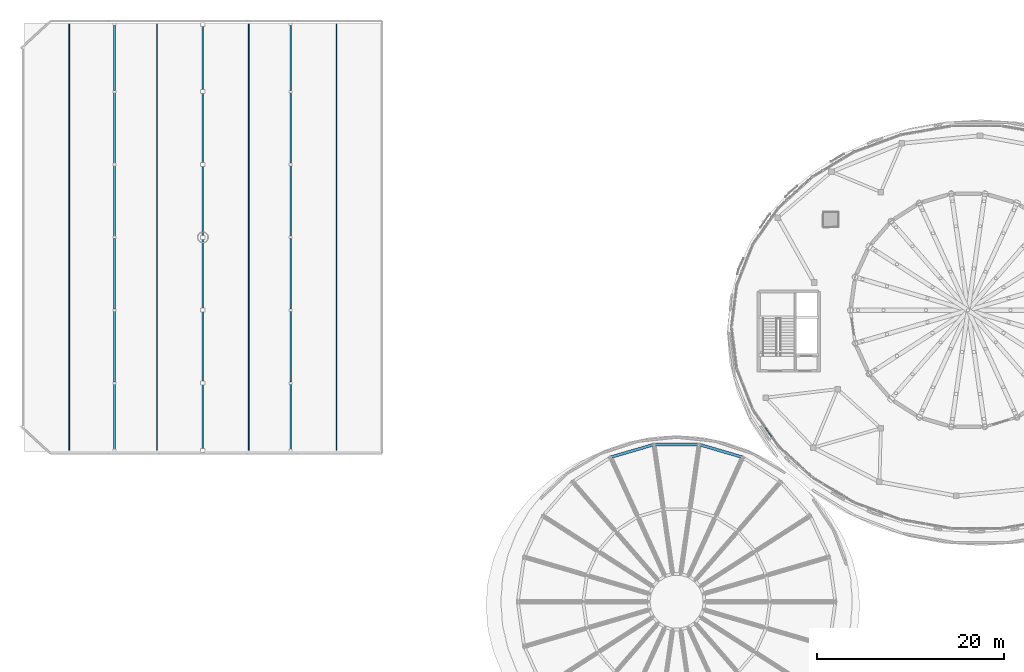
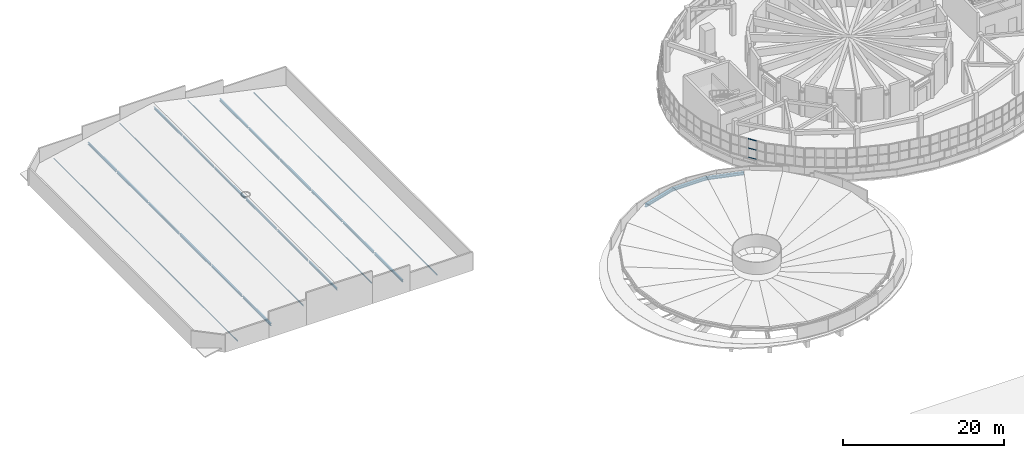
# One storey, part 16 of 69: 27 members, 21 beams, 1 element without a shape of its own.
"""IFC4 building model written with IfcOpenShell, lengths in metres."""

from ifc_helpers import new_model, si_unit, direction, frame, origin, origin_2d, place, context, subcontext, project, spatial, hollow_rectangle, i_section, extrude, material, layer, layer_set, material_profile, profile_set, type_object, element, aggregate, save


model = new_model("IFC4")

# Units and contexts
model_context = context("Model", 3, precision=1e-05, world=origin(), true_north=direction((0.0, 1.0)))
body_context = subcontext(model_context, "Body", "Model", "MODEL_VIEW")
ifc_project = project(units=[si_unit("LENGTHUNIT", "METRE"), si_unit("AREAUNIT", "SQUARE_METRE"), si_unit("VOLUMEUNIT", "CUBIC_METRE"), si_unit("PLANEANGLEUNIT", "RADIAN"), si_unit("MASSUNIT", "GRAM", prefix="KILO")], contexts=[model_context])

# Site, building, storey
site_placement = place(None, origin())
site = spatial("IfcSite", under=ifc_project, at=site_placement, CompositionType="ELEMENT")
building_placement = place(site_placement, origin())
building = spatial("IfcBuilding", under=site, at=building_placement, Name="Pelvatis Terrace Science Centre", CompositionType="ELEMENT")
storey_placement = place(building_placement, frame((0.0, 0.0, 15.0)))
storey = spatial("IfcBuildingStorey", under=building, at=storey_placement, Name="L03", CompositionType="ELEMENT", Elevation=15.0)

# Beams
ifc_material_1 = material(Name="Structural steel S355", Category="steel")
ifc_material_profile_1 = material_profile(ifc_material_1, i_section(OverallWidth=0.300048828125, OverallDepth=0.43994140625, WebThickness=0.011474609375, FlangeThickness=0.02099609375, FilletRadius=0.027099609375, at=origin_2d()), Name="HEA 450")
ifc_profile_set_1 = profile_set([ifc_material_profile_1], Name="Structural steel S355")
beam_type_1 = type_object("IfcBeamType", Name="BM-STL-HEA450", PredefinedType="BEAM", material=ifc_profile_set_1)
beam_1_placement = place(storey_placement, frame((85.06201171875, 70.063720703125, 1.39990234375), z_axis=(-0.959487536584, 0.281751073006, 0.0), x_axis=(-0.281751073006, -0.959487536584, 0.0)))
element("IfcBeam", 1, at=beam_1_placement, inside=storey, type_object=beam_type_1, Name="Bowl roof circumferential out member 05", PredefinedType="BEAM", context=body_context, shape_type="SweptSolid", body=[
    extrude(i_section(OverallWidth=0.300048828125, OverallDepth=0.43994140625, WebThickness=0.011474609375, FlangeThickness=0.02099609375, FilletRadius=0.027099609375, at=origin_2d()), origin(), (0.0, 0.0, 1.0), 4.838623046875),
])
beam_2_placement = place(storey_placement, frame((80.41943359375, 71.427001953125, 1.39990234375), z_axis=(-1.0, 0.0, 0.0), x_axis=(0.0, -1.0, 0.0)))
element("IfcBeam", 2, at=beam_2_placement, inside=storey, type_object=beam_type_1, Name="Bowl roof circumferential out member 06", PredefinedType="BEAM", context=body_context, shape_type="SweptSolid", body=[
    extrude(i_section(OverallWidth=0.300048828125, OverallDepth=0.43994140625, WebThickness=0.011474609375, FlangeThickness=0.02099609375, FilletRadius=0.027099609375, at=origin_2d()), origin(), (0.0, 0.0, 1.0), 4.8388671875),
])
beam_3_placement = place(storey_placement, frame((75.58056640625, 71.427001953125, 1.39990234375), z_axis=(-0.959487536584, -0.281751073006, 0.0), x_axis=(0.281751073006, -0.959487536584, 0.0)))
element("IfcBeam", 3, at=beam_3_placement, inside=storey, type_object=beam_type_1, Name="Bowl roof circumferential out member 07", PredefinedType="BEAM", context=body_context, shape_type="SweptSolid", body=[
    extrude(i_section(OverallWidth=0.300048828125, OverallDepth=0.43994140625, WebThickness=0.011474609375, FlangeThickness=0.02099609375, FilletRadius=0.027099609375, at=origin_2d()), origin(), (0.0, 0.0, 1.0), 4.838623046875),
])

# Curtain wall, members
ifc_material_2 = material(Name="Bronze-anodised aluminium and laminated glass", Category="aluminium")
ifc_layer = layer(ifc_material_2, 0.179931640625)
ifc_layer_set = layer_set([ifc_layer], Name="Bronze-anodised aluminium and laminated glass")
curtain_wall_type = type_object("IfcCurtainWallType", Name="CW-RIBBON-A", PredefinedType="NOTDEFINED", material=ifc_layer_set)
curtain_wall_placement = place(storey_placement, origin())
curtain_wall = element("IfcCurtainWall", 4, at=curtain_wall_placement, inside=storey, type_object=curtain_wall_type, Name="Ribbon curtain wall CW-200 (L03)", PredefinedType="NOTDEFINED")
ifc_material_3 = material(Name="Bronze-anodised aluminium 6063-T6", Category="aluminium")
ifc_material_profile_2 = material_profile(ifc_material_3, hollow_rectangle(XDim=0.06005859375, YDim=0.139892578125, WallThickness=0.00390625, at=origin_2d()), Name="ALU-TRN 60x140")
ifc_profile_set_2 = profile_set([ifc_material_profile_2], Name="Bronze-anodised aluminium 6063-T6")
member_type_1 = type_object("IfcMemberType", Name="CWT-60x140", PredefinedType="USERDEFINED", material=ifc_profile_set_2)
member_1_placement = place(storey_placement, frame((87.508544921875, 73.209716796875, 1.050048828125), z_axis=(0.573447924478, -0.81924201425, 0.0), x_axis=(0.81924201425, 0.573447924478, 0.0)))
member_1 = element("IfcMember", 5, at=member_1_placement, type_object=member_type_1, Name="CW-200 transom 3.1", ObjectType="TRANSOM", PredefinedType="USERDEFINED", context=body_context, shape_type="SweptSolid", body=[
    extrude(hollow_rectangle(XDim=0.06005859375, YDim=0.139892578125, WallThickness=0.00390625, at=origin_2d()), origin(), (0.0, 0.0, 1.0), 1.13623046875),
])
member_2_placement = place(storey_placement, frame((87.508544921875, 73.209716796875, 2.445068359375), z_axis=(0.573447924478, -0.81924201425, 0.0), x_axis=(0.81924201425, 0.573447924478, 0.0)))
member_2 = element("IfcMember", 6, at=member_2_placement, type_object=member_type_1, Name="CW-200 transom 3.2", ObjectType="TRANSOM", PredefinedType="USERDEFINED", context=body_context, shape_type="SweptSolid", body=[
    extrude(hollow_rectangle(XDim=0.06005859375, YDim=0.139892578125, WallThickness=0.00390625, at=origin_2d()), origin(), (0.0, 0.0, 1.0), 1.13623046875),
])
member_3_placement = place(storey_placement, frame((87.508544921875, 73.209716796875, 3.840087890625), z_axis=(0.573447924478, -0.81924201425, 0.0), x_axis=(0.81924201425, 0.573447924478, 0.0)))
member_3 = element("IfcMember", 7, at=member_3_placement, type_object=member_type_1, Name="CW-200 transom 3.3", ObjectType="TRANSOM", PredefinedType="USERDEFINED", context=body_context, shape_type="SweptSolid", body=[
    extrude(hollow_rectangle(XDim=0.06005859375, YDim=0.139892578125, WallThickness=0.00390625, at=origin_2d()), origin(), (0.0, 0.0, 1.0), 1.13623046875),
])
aggregate(curtain_wall, [member_1, member_2, member_3])

# Beams
ifc_material_4 = material(Name="Structural steel S355", Category="steel")
ifc_material_profile_3 = material_profile(ifc_material_4, i_section(OverallWidth=0.1669921875, OverallDepth=0.31689453125, WebThickness=0.007568359375, FlangeThickness=0.01318359375, FilletRadius=0.010986328125, at=origin_2d()), Name="W310x52")
ifc_profile_set_3 = profile_set([ifc_material_profile_3], Name="Structural steel S355")
beam_type_2 = type_object("IfcBeamType", Name="JST-STL-W310x52", PredefinedType="JOIST", material=ifc_profile_set_3)
beam_4_placement = place(storey_placement, frame((27.300048828125, 70.9150390625, 3.5), z_axis=(0.0, 1.0, 0.0), x_axis=(-1.0, 0.0, 0.0)))
element("IfcBeam", 8, at=beam_4_placement, inside=storey, type_object=beam_type_2, Name="Theatre roof joist 1.4", PredefinedType="JOIST", context=body_context, shape_type="SweptSolid", body=[
    extrude(i_section(OverallWidth=0.1669921875, OverallDepth=0.31689453125, WebThickness=0.007568359375, FlangeThickness=0.01318359375, FilletRadius=0.010986328125, at=origin_2d()), origin(), (0.0, 0.0, 1.0), 6.970947265625),
])
beam_5_placement = place(storey_placement, frame((27.300048828125, 78.114013671875, 3.5), z_axis=(0.0, 1.0, 0.0), x_axis=(-1.0, 0.0, 0.0)))
element("IfcBeam", 9, at=beam_5_placement, inside=storey, type_object=beam_type_2, Name="Theatre roof joist 2.4", PredefinedType="JOIST", context=body_context, shape_type="SweptSolid", body=[
    extrude(i_section(OverallWidth=0.1669921875, OverallDepth=0.31689453125, WebThickness=0.007568359375, FlangeThickness=0.01318359375, FilletRadius=0.010986328125, at=origin_2d()), origin(), (0.0, 0.0, 1.0), 7.58056640625),
])
beam_6_placement = place(storey_placement, frame((27.300048828125, 85.905517578125, 3.5), z_axis=(0.0, 1.0, 0.0), x_axis=(-1.0, 0.0, 0.0)))
element("IfcBeam", 10, at=beam_6_placement, inside=storey, type_object=beam_type_2, Name="Theatre roof joist 3.4", PredefinedType="JOIST", context=body_context, shape_type="SweptSolid", body=[
    extrude(i_section(OverallWidth=0.1669921875, OverallDepth=0.31689453125, WebThickness=0.007568359375, FlangeThickness=0.01318359375, FilletRadius=0.010986328125, at=origin_2d()), origin(), (0.0, 0.0, 1.0), 7.590087890625),
])
beam_7_placement = place(storey_placement, frame((27.300048828125, 93.70458984375, 3.5), z_axis=(0.0, 1.0, 0.0), x_axis=(-1.0, 0.0, 0.0)))
element("IfcBeam", 11, at=beam_7_placement, inside=storey, type_object=beam_type_2, Name="Theatre roof joist 4.4", PredefinedType="JOIST", context=body_context, shape_type="SweptSolid", body=[
    extrude(i_section(OverallWidth=0.1669921875, OverallDepth=0.31689453125, WebThickness=0.007568359375, FlangeThickness=0.01318359375, FilletRadius=0.010986328125, at=origin_2d()), origin(), (0.0, 0.0, 1.0), 7.599365234375),
])
beam_8_placement = place(storey_placement, frame((27.300048828125, 101.49609375, 3.5), z_axis=(0.0, 1.0, 0.0), x_axis=(-1.0, 0.0, 0.0)))
element("IfcBeam", 12, at=beam_8_placement, inside=storey, type_object=beam_type_2, Name="Theatre roof joist 5.4", PredefinedType="JOIST", context=body_context, shape_type="SweptSolid", body=[
    extrude(i_section(OverallWidth=0.1669921875, OverallDepth=0.31689453125, WebThickness=0.007568359375, FlangeThickness=0.01318359375, FilletRadius=0.010986328125, at=origin_2d()), origin(), (0.0, 0.0, 1.0), 7.614013671875),
])
beam_9_placement = place(storey_placement, frame((27.300048828125, 109.2900390625, 3.5), z_axis=(0.0, 1.0, 0.0), x_axis=(-1.0, 0.0, 0.0)))
element("IfcBeam", 13, at=beam_9_placement, inside=storey, type_object=beam_type_2, Name="Theatre roof joist 6.4", PredefinedType="JOIST", context=body_context, shape_type="SweptSolid", body=[
    extrude(i_section(OverallWidth=0.1669921875, OverallDepth=0.31689453125, WebThickness=0.007568359375, FlangeThickness=0.01318359375, FilletRadius=0.010986328125, at=origin_2d()), origin(), (0.0, 0.0, 1.0), 6.994873046875),
])
ifc_material_5 = material(Name="Structural steel S355", Category="steel")
ifc_material_profile_4 = material_profile(ifc_material_5, i_section(OverallWidth=0.202880859375, OverallDepth=0.346923828125, WebThickness=0.0078125, FlangeThickness=0.013427734375, FilletRadius=0.011962890625, at=origin_2d()), Name="W360x64")
ifc_profile_set_4 = profile_set([ifc_material_profile_4], Name="Structural steel S355")
beam_type_3 = type_object("IfcBeamType", Name="JST-STL-W360x64", PredefinedType="JOIST", material=ifc_profile_set_4)
for number, where, z_axis, x_axis, name in (
    (14, (17.85009765625, 70.9150390625, 1.449951171875), (0.0, 1.0, 0.0), (-1.0, 0.0, 0.0), "Theatre roof joist 1.2"),
    (15, (36.699951171875, 70.9150390625, 1.449951171875), (0.0, 1.0, 0.0), (-1.0, 0.0, 0.0), "Theatre roof joist 1.6"),
):
    element("IfcBeam", number, at=place(storey_placement, frame(where, z_axis=z_axis, x_axis=x_axis)), inside=storey, type_object=beam_type_3, Name=name, PredefinedType="JOIST", context=body_context, shape_type="SweptSolid", body=[
        extrude(i_section(OverallWidth=0.202880859375, OverallDepth=0.346923828125, WebThickness=0.0078125, FlangeThickness=0.013427734375, FilletRadius=0.011962890625, at=origin_2d()), origin(), (0.0, 0.0, 1.0), 6.970947265625),
    ])
for number, where, z_axis, x_axis, name in (
    (16, (17.85009765625, 78.114013671875, 1.449951171875), (0.0, 1.0, 0.0), (-1.0, 0.0, 0.0), "Theatre roof joist 2.2"),
    (17, (36.699951171875, 78.114013671875, 1.449951171875), (0.0, 1.0, 0.0), (-1.0, 0.0, 0.0), "Theatre roof joist 2.6"),
):
    element("IfcBeam", number, at=place(storey_placement, frame(where, z_axis=z_axis, x_axis=x_axis)), inside=storey, type_object=beam_type_3, Name=name, PredefinedType="JOIST", context=body_context, shape_type="SweptSolid", body=[
        extrude(i_section(OverallWidth=0.202880859375, OverallDepth=0.346923828125, WebThickness=0.0078125, FlangeThickness=0.013427734375, FilletRadius=0.011962890625, at=origin_2d()), origin(), (0.0, 0.0, 1.0), 7.58056640625),
    ])
for number, where, z_axis, x_axis, name in (
    (18, (17.85009765625, 85.905517578125, 1.449951171875), (0.0, 1.0, 0.0), (-1.0, 0.0, 0.0), "Theatre roof joist 3.2"),
    (19, (36.699951171875, 85.905517578125, 1.449951171875), (0.0, 1.0, 0.0), (-1.0, 0.0, 0.0), "Theatre roof joist 3.6"),
):
    element("IfcBeam", number, at=place(storey_placement, frame(where, z_axis=z_axis, x_axis=x_axis)), inside=storey, type_object=beam_type_3, Name=name, PredefinedType="JOIST", context=body_context, shape_type="SweptSolid", body=[
        extrude(i_section(OverallWidth=0.202880859375, OverallDepth=0.346923828125, WebThickness=0.0078125, FlangeThickness=0.013427734375, FilletRadius=0.011962890625, at=origin_2d()), origin(), (0.0, 0.0, 1.0), 7.590087890625),
    ])
for number, where, z_axis, x_axis, name in (
    (20, (17.85009765625, 93.70458984375, 1.449951171875), (0.0, 1.0, 0.0), (-1.0, 0.0, 0.0), "Theatre roof joist 4.2"),
    (21, (36.699951171875, 93.70458984375, 1.449951171875), (0.0, 1.0, 0.0), (-1.0, 0.0, 0.0), "Theatre roof joist 4.6"),
):
    element("IfcBeam", number, at=place(storey_placement, frame(where, z_axis=z_axis, x_axis=x_axis)), inside=storey, type_object=beam_type_3, Name=name, PredefinedType="JOIST", context=body_context, shape_type="SweptSolid", body=[
        extrude(i_section(OverallWidth=0.202880859375, OverallDepth=0.346923828125, WebThickness=0.0078125, FlangeThickness=0.013427734375, FilletRadius=0.011962890625, at=origin_2d()), origin(), (0.0, 0.0, 1.0), 7.599365234375),
    ])
for number, where, z_axis, x_axis, name in (
    (22, (17.85009765625, 101.49609375, 1.449951171875), (0.0, 1.0, 0.0), (-1.0, 0.0, 0.0), "Theatre roof joist 5.2"),
    (23, (36.699951171875, 101.49609375, 1.449951171875), (0.0, 1.0, 0.0), (-1.0, 0.0, 0.0), "Theatre roof joist 5.6"),
):
    element("IfcBeam", number, at=place(storey_placement, frame(where, z_axis=z_axis, x_axis=x_axis)), inside=storey, type_object=beam_type_3, Name=name, PredefinedType="JOIST", context=body_context, shape_type="SweptSolid", body=[
        extrude(i_section(OverallWidth=0.202880859375, OverallDepth=0.346923828125, WebThickness=0.0078125, FlangeThickness=0.013427734375, FilletRadius=0.011962890625, at=origin_2d()), origin(), (0.0, 0.0, 1.0), 7.614013671875),
    ])
for number, where, z_axis, x_axis, name in (
    (24, (17.85009765625, 109.2900390625, 1.449951171875), (0.0, 1.0, 0.0), (-1.0, 0.0, 0.0), "Theatre roof joist 6.2"),
    (25, (36.699951171875, 109.2900390625, 1.449951171875), (0.0, 1.0, 0.0), (-1.0, 0.0, 0.0), "Theatre roof joist 6.6"),
):
    element("IfcBeam", number, at=place(storey_placement, frame(where, z_axis=z_axis, x_axis=x_axis)), inside=storey, type_object=beam_type_3, Name=name, PredefinedType="JOIST", context=body_context, shape_type="SweptSolid", body=[
        extrude(i_section(OverallWidth=0.202880859375, OverallDepth=0.346923828125, WebThickness=0.0078125, FlangeThickness=0.013427734375, FilletRadius=0.011962890625, at=origin_2d()), origin(), (0.0, 0.0, 1.0), 6.994873046875),
    ])

# Members
ifc_material_6 = material(Name="Structural steel S355", Category="steel")
ifc_material_profile_5 = material_profile(ifc_material_6, hollow_rectangle(XDim=0.080078125, YDim=0.159912109375, WallThickness=0.0048828125, at=origin_2d()), Name="RHS 160x80x5.0")
ifc_profile_set_5 = profile_set([ifc_material_profile_5], Name="Structural steel S355")
member_type_2 = type_object("IfcMemberType", Name="MEM-PRL-RHS160", PredefinedType="PURLIN", material=ifc_profile_set_5)
for number, where, z_axis, x_axis, name in (
    (26, (13.0, 70.800048828125, 0.719970703125), (0.0, 1.0, 0.0), (-1.0, 0.0, 0.0), "Theatre roof purlin 1.1"),
    (27, (22.39990234375, 70.800048828125, 2.800048828125), (0.0, 1.0, 0.0), (-1.0, 0.0, 0.0), "Theatre roof purlin 1.3"),
    (28, (32.199951171875, 70.800048828125, 2.800048828125), (0.0, 1.0, 0.0), (-1.0, 0.0, 0.0), "Theatre roof purlin 1.5"),
    (29, (41.60009765625, 70.800048828125, 0.719970703125), (0.0, 1.0, 0.0), (-1.0, 0.0, 0.0), "Theatre roof purlin 1.7"),
):
    element("IfcMember", number, at=place(storey_placement, frame(where, z_axis=z_axis, x_axis=x_axis)), inside=storey, type_object=member_type_2, Name=name, PredefinedType="PURLIN", context=body_context, shape_type="SweptSolid", body=[
        extrude(hollow_rectangle(XDim=0.080078125, YDim=0.159912109375, WallThickness=0.0048828125, at=origin_2d()), origin(), (0.0, 0.0, 1.0), 7.199951171875),
    ])
for number, where, z_axis, x_axis, name in (
    (30, (13.0, 78.0, 0.719970703125), (0.0, 1.0, 0.0), (-1.0, 0.0, 0.0), "Theatre roof purlin 2.1"),
    (31, (22.39990234375, 78.0, 2.800048828125), (0.0, 1.0, 0.0), (-1.0, 0.0, 0.0), "Theatre roof purlin 2.3"),
    (32, (32.199951171875, 78.0, 2.800048828125), (0.0, 1.0, 0.0), (-1.0, 0.0, 0.0), "Theatre roof purlin 2.5"),
    (33, (41.60009765625, 78.0, 0.719970703125), (0.0, 1.0, 0.0), (-1.0, 0.0, 0.0), "Theatre roof purlin 2.7"),
    (34, (13.0, 85.800048828125, 0.719970703125), (0.0, 1.0, 0.0), (-1.0, 0.0, 0.0), "Theatre roof purlin 3.1"),
    (35, (22.39990234375, 85.800048828125, 2.800048828125), (0.0, 1.0, 0.0), (-1.0, 0.0, 0.0), "Theatre roof purlin 3.3"),
    (36, (32.199951171875, 85.800048828125, 2.800048828125), (0.0, 1.0, 0.0), (-1.0, 0.0, 0.0), "Theatre roof purlin 3.5"),
    (37, (41.60009765625, 85.800048828125, 0.719970703125), (0.0, 1.0, 0.0), (-1.0, 0.0, 0.0), "Theatre roof purlin 3.7"),
):
    element("IfcMember", number, at=place(storey_placement, frame(where, z_axis=z_axis, x_axis=x_axis)), inside=storey, type_object=member_type_2, Name=name, PredefinedType="PURLIN", context=body_context, shape_type="SweptSolid", body=[
        extrude(hollow_rectangle(XDim=0.080078125, YDim=0.159912109375, WallThickness=0.0048828125, at=origin_2d()), origin(), (0.0, 0.0, 1.0), 7.800048828125),
    ])
for number, where, z_axis, x_axis, name in (
    (38, (13.0, 93.60009765625, 0.719970703125), (0.0, 1.0, 0.0), (-1.0, 0.0, 0.0), "Theatre roof purlin 4.1"),
    (39, (22.39990234375, 93.60009765625, 2.800048828125), (0.0, 1.0, 0.0), (-1.0, 0.0, 0.0), "Theatre roof purlin 4.3"),
    (40, (32.199951171875, 93.60009765625, 2.800048828125), (0.0, 1.0, 0.0), (-1.0, 0.0, 0.0), "Theatre roof purlin 4.5"),
    (41, (41.60009765625, 93.60009765625, 0.719970703125), (0.0, 1.0, 0.0), (-1.0, 0.0, 0.0), "Theatre roof purlin 4.7"),
):
    element("IfcMember", number, at=place(storey_placement, frame(where, z_axis=z_axis, x_axis=x_axis)), inside=storey, type_object=member_type_2, Name=name, PredefinedType="PURLIN", context=body_context, shape_type="SweptSolid", body=[
        extrude(hollow_rectangle(XDim=0.080078125, YDim=0.159912109375, WallThickness=0.0048828125, at=origin_2d()), origin(), (0.0, 0.0, 1.0), 7.7998046875),
    ])
for number, where, z_axis, x_axis, name in (
    (42, (13.0, 101.39990234375, 0.719970703125), (0.0, 1.0, 0.0), (-1.0, 0.0, 0.0), "Theatre roof purlin 5.1"),
    (43, (22.39990234375, 101.39990234375, 2.800048828125), (0.0, 1.0, 0.0), (-1.0, 0.0, 0.0), "Theatre roof purlin 5.3"),
    (44, (32.199951171875, 101.39990234375, 2.800048828125), (0.0, 1.0, 0.0), (-1.0, 0.0, 0.0), "Theatre roof purlin 5.5"),
    (45, (41.60009765625, 101.39990234375, 0.719970703125), (0.0, 1.0, 0.0), (-1.0, 0.0, 0.0), "Theatre roof purlin 5.7"),
):
    element("IfcMember", number, at=place(storey_placement, frame(where, z_axis=z_axis, x_axis=x_axis)), inside=storey, type_object=member_type_2, Name=name, PredefinedType="PURLIN", context=body_context, shape_type="SweptSolid", body=[
        extrude(hollow_rectangle(XDim=0.080078125, YDim=0.159912109375, WallThickness=0.0048828125, at=origin_2d()), origin(), (0.0, 0.0, 1.0), 7.800048828125),
    ])
for number, where, z_axis, x_axis, name in (
    (46, (13.0, 109.199951171875, 0.719970703125), (0.0, 1.0, 0.0), (-1.0, 0.0, 0.0), "Theatre roof purlin 6.1"),
    (47, (22.39990234375, 109.199951171875, 2.800048828125), (0.0, 1.0, 0.0), (-1.0, 0.0, 0.0), "Theatre roof purlin 6.3"),
    (48, (32.199951171875, 109.199951171875, 2.800048828125), (0.0, 1.0, 0.0), (-1.0, 0.0, 0.0), "Theatre roof purlin 6.5"),
    (49, (41.60009765625, 109.199951171875, 0.719970703125), (0.0, 1.0, 0.0), (-1.0, 0.0, 0.0), "Theatre roof purlin 6.7"),
):
    element("IfcMember", number, at=place(storey_placement, frame(where, z_axis=z_axis, x_axis=x_axis)), inside=storey, type_object=member_type_2, Name=name, PredefinedType="PURLIN", context=body_context, shape_type="SweptSolid", body=[
        extrude(hollow_rectangle(XDim=0.080078125, YDim=0.159912109375, WallThickness=0.0048828125, at=origin_2d()), origin(), (0.0, 0.0, 1.0), 7.199951171875),
    ])

save(model, "model.ifc")
